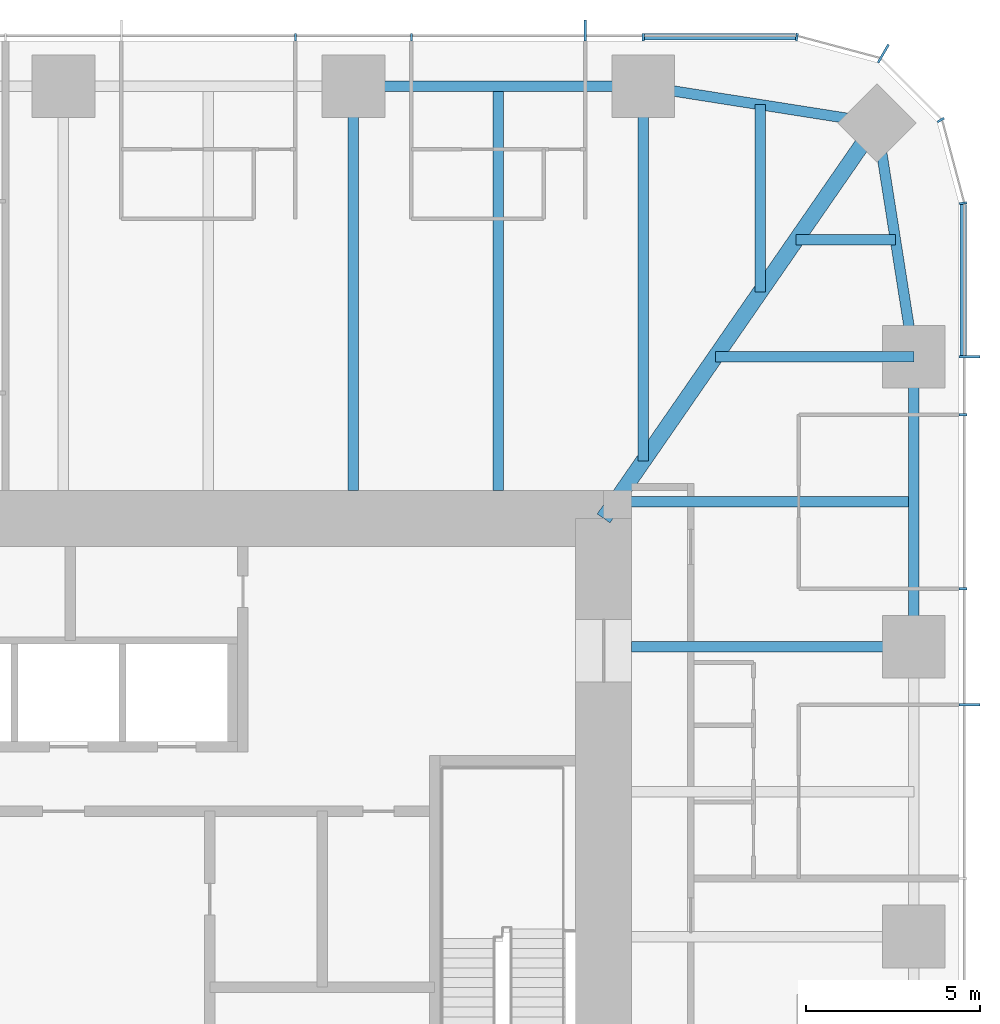
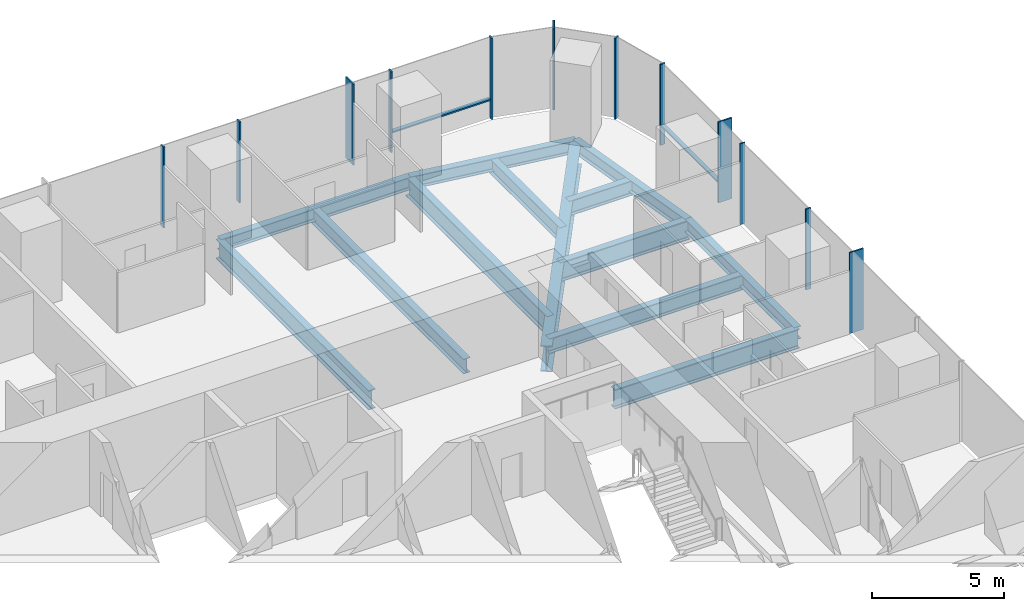
# One storey, part 6 of 13: 14 members, 13 beams, 3 elements without a shape of their own.
"""IFC4 building model written with IfcOpenShell, lengths in metres."""

from ifc_helpers import new_model, si_unit, direction, frame, origin, origin_2d, place, context, subcontext, project, spatial, rectangle, i_section, extrude, material, material_profile, profile_set, type_object, element, aggregate, save


model = new_model("IFC4")

# Units and contexts
model_context = context("Model", 3, precision=1e-05, world=origin(), true_north=direction((0.0, 1.0)))
body_context = subcontext(model_context, "Body", "Model", "MODEL_VIEW")
ifc_project = project(units=[si_unit("LENGTHUNIT", "METRE"), si_unit("AREAUNIT", "SQUARE_METRE"), si_unit("VOLUMEUNIT", "CUBIC_METRE"), si_unit("PLANEANGLEUNIT", "RADIAN"), si_unit("MASSUNIT", "GRAM", prefix="KILO")], contexts=[model_context])

# Site, building, storey
site_placement = place(None, origin())
site = spatial("IfcSite", under=ifc_project, at=site_placement, CompositionType="ELEMENT")
building_placement = place(site_placement, origin())
building = spatial("IfcBuilding", under=site, at=building_placement, Name="Khuree Lantern Residences", CompositionType="ELEMENT")
storey_placement = place(building_placement, frame((0.0, 0.0, 259.5)))
storey = spatial("IfcBuildingStorey", under=building, at=storey_placement, Name="L65", CompositionType="ELEMENT", Elevation=259.5)

# Beams
ifc_material_1 = material(Name="Steel S355", Category="steel")
ifc_material_profile_1 = material_profile(ifc_material_1, i_section(OverallWidth=0.300048828125, OverallDepth=0.68994140625, WebThickness=0.014404296875, FlangeThickness=0.027099609375, FilletRadius=0.027099609375, at=origin_2d()), Name="HE 700 A")
ifc_profile_set_1 = profile_set([ifc_material_profile_1], Name="Steel S355")
beam_type_1 = type_object("IfcBeamType", Name="B-34 SECONDARY BEAM HE 700 A", PredefinedType="BEAM", material=ifc_profile_set_1)
beam_1_placement = place(storey_placement, frame((12.47998046875, 24.39990234375, -0.594970703125), z_axis=(0.0, -1.0, 0.0), x_axis=(1.0, 0.0, 0.0)))
element("IfcBeam", 1, at=beam_1_placement, inside=storey, type_object=beam_type_1, Name="Secondary beam N4", PredefinedType="BEAM", context=body_context, shape_type="SweptSolid", body=[
    extrude(i_section(OverallWidth=0.300048828125, OverallDepth=0.68994140625, WebThickness=0.014404296875, FlangeThickness=0.027099609375, FilletRadius=0.027099609375, at=origin_2d()), origin(), (0.0, 0.0, 1.0), 11.599853515625),
])
beam_2_placement = place(storey_placement, frame((19.992919921875, 23.872802734375, -0.594970703125), z_axis=(0.0, -1.0, 0.0), x_axis=(1.0, 0.0, 0.0)))
element("IfcBeam", 2, at=beam_2_placement, inside=storey, type_object=beam_type_1, Name="Secondary beam N5", PredefinedType="BEAM", context=body_context, shape_type="SweptSolid", body=[
    extrude(i_section(OverallWidth=0.300048828125, OverallDepth=0.68994140625, WebThickness=0.014404296875, FlangeThickness=0.027099609375, FilletRadius=0.027099609375, at=origin_2d()), origin(), (0.0, 0.0, 1.0), 5.375732421875),
])
beam_3_placement = place(storey_placement, frame((23.872802734375, 19.992919921875, -0.594970703125), z_axis=(-1.0, 0.0, 0.0), x_axis=(0.0, -1.0, 0.0)))
element("IfcBeam", 3, at=beam_3_placement, inside=storey, type_object=beam_type_1, Name="Secondary beam E1", PredefinedType="BEAM", context=body_context, shape_type="SweptSolid", body=[
    extrude(i_section(OverallWidth=0.300048828125, OverallDepth=0.68994140625, WebThickness=0.014404296875, FlangeThickness=0.027099609375, FilletRadius=0.027099609375, at=origin_2d()), origin(), (0.0, 0.0, 1.0), 2.845703125),
])
beam_4_placement = place(storey_placement, frame((24.39990234375, 12.47998046875, -0.594970703125), z_axis=(-1.0, 0.0, 0.0), x_axis=(0.0, -1.0, 0.0)))
element("IfcBeam", 4, at=beam_4_placement, inside=storey, type_object=beam_type_1, Name="Secondary beam E2", PredefinedType="BEAM", context=body_context, shape_type="SweptSolid", body=[
    extrude(i_section(OverallWidth=0.300048828125, OverallDepth=0.68994140625, WebThickness=0.014404296875, FlangeThickness=0.027099609375, FilletRadius=0.027099609375, at=origin_2d()), origin(), (0.0, 0.0, 1.0), 8.56787109375),
])
ifc_material_profile_2 = material_profile(ifc_material_1, i_section(OverallWidth=0.300048828125, OverallDepth=0.590087890625, WebThickness=0.012939453125, FlangeThickness=0.02490234375, FilletRadius=0.027099609375, at=origin_2d()), Name="HE 600 A")
ifc_profile_set_2 = profile_set([ifc_material_profile_2], Name="Steel S355")
beam_type_2 = type_object("IfcBeamType", Name="E-34 SPANDREL BEAM HE 600 A", PredefinedType="SPANDREL", material=ifc_profile_set_2)
beam_5_placement = place(storey_placement, frame((8.320068359375, 24.39990234375, -0.544921875), z_axis=(1.0, 0.0, 0.0), x_axis=(0.0, 1.0, 0.0)))
element("IfcBeam", 5, at=beam_5_placement, inside=storey, type_object=beam_type_2, Name="Spandrel beam N4", PredefinedType="SPANDREL", context=body_context, shape_type="SweptSolid", body=[
    extrude(i_section(OverallWidth=0.300048828125, OverallDepth=0.590087890625, WebThickness=0.012939453125, FlangeThickness=0.02490234375, FilletRadius=0.027099609375, at=origin_2d()), origin(), (0.0, 0.0, 1.0), 8.31982421875),
])
for number, where, z_axis, x_axis, name in (
    (6, (16.639892578125, 24.39990234375, -0.544921875), (0.98786743189, -0.155299507442, 0.0), (0.155299507442, 0.98786743189, 0.0), "Spandrel beam N5"),
    (7, (23.345703125, 23.345703125, -0.544921875), (0.155299507442, -0.98786743189, 0.0), (0.98786743189, 0.155299507442, 0.0), "Spandrel beam E1"),
):
    element("IfcBeam", number, at=place(storey_placement, frame(where, z_axis=z_axis, x_axis=x_axis)), inside=storey, type_object=beam_type_2, Name=name, PredefinedType="SPANDREL", context=body_context, shape_type="SweptSolid", body=[
        extrude(i_section(OverallWidth=0.300048828125, OverallDepth=0.590087890625, WebThickness=0.012939453125, FlangeThickness=0.02490234375, FilletRadius=0.027099609375, at=origin_2d()), origin(), (0.0, 0.0, 1.0), 6.7880859375),
    ])
beam_6_placement = place(storey_placement, frame((24.39990234375, 16.639892578125, -0.544921875), z_axis=(0.0, -1.0, 0.0), x_axis=(1.0, 0.0, 0.0)))
element("IfcBeam", 8, at=beam_6_placement, inside=storey, type_object=beam_type_2, Name="Spandrel beam E2", PredefinedType="SPANDREL", context=body_context, shape_type="SweptSolid", body=[
    extrude(i_section(OverallWidth=0.300048828125, OverallDepth=0.590087890625, WebThickness=0.012939453125, FlangeThickness=0.02490234375, FilletRadius=0.027099609375, at=origin_2d()), origin(), (0.0, 0.0, 1.0), 8.31982421875),
])

# Curtain wall, members
ifc_material_2 = material(Name="Bronze anodised aluminium", Category="aluminium")
curtain_wall_type_1 = type_object("IfcCurtainWallType", Name="CW-T1 TOWER FACE CURTAIN WALL", PredefinedType="USERDEFINED", material=ifc_material_2)
curtain_wall_1_placement = place(storey_placement, origin())
curtain_wall_1 = element("IfcCurtainWall", 9, at=curtain_wall_1_placement, inside=storey, type_object=curtain_wall_type_1, Name="L65 EAST FACE CURTAIN WALL", ObjectType="Stick-built curtain wall", PredefinedType="USERDEFINED")
ifc_material_profile_3 = material_profile(ifc_material_2, rectangle(XDim=0.06494140625, YDim=0.60009765625, at=origin_2d()), Name="F1 65X600")
ifc_profile_set_3 = profile_set([ifc_material_profile_3], Name="Bronze anodised aluminium")
member_type_1 = type_object("IfcMemberType", Name="F1 BRONZE FIN MULLION TOWER 65X600", PredefinedType="MULLION", material=ifc_profile_set_3)
member_1_placement = place(storey_placement, frame((26.0, 6.656005859375, 0.0), z_axis=(0.0, 0.0, 1.0), x_axis=(0.0, 1.0, 0.0)))
member_1 = element("IfcMember", 10, at=member_1_placement, type_object=member_type_1, Name="L65 EAST FACE FIN MULLION 11", PredefinedType="MULLION", context=body_context, shape_type="SweptSolid", body=[
    extrude(rectangle(XDim=0.06494140625, YDim=0.60009765625, at=origin_2d()), origin(), (0.0, 0.0, 1.0), 3.75),
])
member_2_placement = place(storey_placement, frame((26.0, 16.639892578125, 0.0), z_axis=(0.0, 0.0, 1.0), x_axis=(0.0, 1.0, 0.0)))
member_2 = element("IfcMember", 11, at=member_2_placement, type_object=member_type_1, Name="L65 EAST FACE FIN MULLION 14", PredefinedType="MULLION", context=body_context, shape_type="SweptSolid", body=[
    extrude(rectangle(XDim=0.06494140625, YDim=0.60009765625, at=origin_2d()), origin(), (0.0, 0.0, 1.0), 3.75),
])

# Curtain wall, member
curtain_wall_type_2 = type_object("IfcCurtainWallType", Name="CW-T2 TOWER CORNER CURTAIN WALL", PredefinedType="USERDEFINED", material=ifc_material_2)
curtain_wall_2_placement = place(storey_placement, origin())
curtain_wall_2 = element("IfcCurtainWall", 12, at=curtain_wall_2_placement, inside=storey, type_object=curtain_wall_type_2, Name="L65 NORTH-EAST CORNER CURTAIN WALL", ObjectType="Faceted corner curtain wall", PredefinedType="USERDEFINED")
member_3_placement = place(storey_placement, frame((23.52490234375, 25.3369140625, 0.0), z_axis=(0.0, 0.0, 1.0), x_axis=(-0.866025409797, 0.499999989586, 0.0)))
member_3 = element("IfcMember", 13, at=member_3_placement, type_object=member_type_1, Name="L65 NORTH-EAST CORNER FIN MULLION 17", PredefinedType="MULLION", context=body_context, shape_type="SweptSolid", body=[
    extrude(rectangle(XDim=0.06494140625, YDim=0.60009765625, at=origin_2d()), origin(), (0.0, 0.0, 1.0), 3.75),
])

curtain_wall_3_placement = place(storey_placement, origin())
curtain_wall_3 = element("IfcCurtainWall", 14, at=curtain_wall_3_placement, inside=storey, type_object=curtain_wall_type_1, Name="L65 NORTH FACE CURTAIN WALL", ObjectType="Stick-built curtain wall", PredefinedType="USERDEFINED")
member_4_placement = place(storey_placement, frame((14.97607421875, 26.0, 0.0), z_axis=(0.0, 0.0, 1.0), x_axis=(-1.0, 0.0, 0.0)))
member_4 = element("IfcMember", 15, at=member_4_placement, type_object=member_type_1, Name="L65 NORTH FACE FIN MULLION 20", PredefinedType="MULLION", context=body_context, shape_type="SweptSolid", body=[
    extrude(rectangle(XDim=0.06494140625, YDim=0.60009765625, at=origin_2d()), origin(), (0.0, 0.0, 1.0), 3.75),
])

# Beams
ifc_material_profile_4 = material_profile(ifc_material_1, i_section(OverallWidth=0.300048828125, OverallDepth=0.89990234375, WebThickness=0.0185546875, FlangeThickness=0.034912109375, FilletRadius=0.030029296875, at=origin_2d()), Name="HE 900 B")
ifc_profile_set_4 = profile_set([ifc_material_profile_4], Name="Steel S355")
beam_type_3 = type_object("IfcBeamType", Name="G-34 GIRDER HE 900 B", PredefinedType="BEAM", material=ifc_profile_set_4)
beam_7_placement = place(storey_placement, frame((8.320068359375, 24.39990234375, -0.699951171875), z_axis=(0.0, -1.0, 0.0), x_axis=(1.0, 0.0, 0.0)))
element("IfcBeam", 16, at=beam_7_placement, inside=storey, type_object=beam_type_3, Name="Girder N4", PredefinedType="BEAM", context=body_context, shape_type="SweptSolid", body=[
    extrude(i_section(OverallWidth=0.300048828125, OverallDepth=0.89990234375, WebThickness=0.0185546875, FlangeThickness=0.034912109375, FilletRadius=0.030029296875, at=origin_2d()), origin(), (0.0, 0.0, 1.0), 11.599853515625),
])
beam_8_placement = place(storey_placement, frame((16.639892578125, 24.39990234375, -0.699951171875), z_axis=(0.0, -1.0, 0.0), x_axis=(1.0, 0.0, 0.0)))
element("IfcBeam", 17, at=beam_8_placement, inside=storey, type_object=beam_type_3, Name="Girder N5", PredefinedType="BEAM", context=body_context, shape_type="SweptSolid", body=[
    extrude(i_section(OverallWidth=0.300048828125, OverallDepth=0.89990234375, WebThickness=0.0185546875, FlangeThickness=0.034912109375, FilletRadius=0.030029296875, at=origin_2d()), origin(), (0.0, 0.0, 1.0), 10.751220703125),
])
beam_9_placement = place(storey_placement, frame((24.39990234375, 16.639892578125, -0.699951171875), z_axis=(-1.0, 0.0, 0.0), x_axis=(0.0, -1.0, 0.0)))
element("IfcBeam", 18, at=beam_9_placement, inside=storey, type_object=beam_type_3, Name="Girder E1", PredefinedType="BEAM", context=body_context, shape_type="SweptSolid", body=[
    extrude(i_section(OverallWidth=0.300048828125, OverallDepth=0.89990234375, WebThickness=0.0185546875, FlangeThickness=0.034912109375, FilletRadius=0.030029296875, at=origin_2d()), origin(), (0.0, 0.0, 1.0), 5.69140625),
])
beam_10_placement = place(storey_placement, frame((24.39990234375, 8.320068359375, -0.699951171875), z_axis=(-1.0, 0.0, 0.0), x_axis=(0.0, -1.0, 0.0)))
element("IfcBeam", 19, at=beam_10_placement, inside=storey, type_object=beam_type_3, Name="Girder E2", PredefinedType="BEAM", context=body_context, shape_type="SweptSolid", body=[
    extrude(i_section(OverallWidth=0.300048828125, OverallDepth=0.89990234375, WebThickness=0.0185546875, FlangeThickness=0.034912109375, FilletRadius=0.030029296875, at=origin_2d()), origin(), (0.0, 0.0, 1.0), 8.099853515625),
])
ifc_material_profile_5 = material_profile(ifc_material_1, i_section(OverallWidth=0.449951171875, OverallDepth=1.199951171875, WebThickness=0.02490234375, FlangeThickness=0.044921875, at=origin_2d()), Name="WELDED I 1200X450X25X45")
ifc_profile_set_5 = profile_set([ifc_material_profile_5], Name="Steel S355")
beam_type_4 = type_object("IfcBeamType", Name="GD-34 CORNER GIRDER WELDED I 1200X450X25X45", PredefinedType="BEAM", material=ifc_profile_set_5)
beam_11_placement = place(storey_placement, frame((23.345703125, 23.345703125, -0.85009765625), z_axis=(-0.56876813501, -0.822497907959, 0.0), x_axis=(0.822497907959, -0.56876813501, 0.0)))
element("IfcBeam", 20, at=beam_11_placement, inside=storey, type_object=beam_type_4, Name="Corner girder NE", PredefinedType="BEAM", context=body_context, shape_type="SweptSolid", body=[
    extrude(i_section(OverallWidth=0.449951171875, OverallDepth=1.199951171875, WebThickness=0.02490234375, FlangeThickness=0.044921875, at=origin_2d()), origin(), (0.0, 0.0, 1.0), 13.794189453125),
])

# Member
ifc_material_profile_6 = material_profile(ifc_material_2, rectangle(XDim=0.06494140625, YDim=0.219970703125, at=origin_2d()), Name="M1 65X220")
ifc_profile_set_6 = profile_set([ifc_material_profile_6], Name="Bronze anodised aluminium")
member_type_2 = type_object("IfcMemberType", Name="M1 BRONZE MULLION TOWER 65X220", PredefinedType="MULLION", material=ifc_profile_set_6)
member_5_placement = place(storey_placement, frame((25.81005859375, 9.98388671875, 0.0), z_axis=(0.0, 0.0, 1.0), x_axis=(0.0, 1.0, 0.0)))
member_5 = element("IfcMember", 21, at=member_5_placement, type_object=member_type_2, Name="L65 EAST FACE MULLION 12", PredefinedType="MULLION", context=body_context, shape_type="SweptSolid", body=[
    extrude(rectangle(XDim=0.06494140625, YDim=0.219970703125, at=origin_2d()), origin(), (0.0, 0.0, 1.0), 3.75),
])

member_6_placement = place(storey_placement, frame((25.81005859375, 14.97607421875, 0.0), z_axis=(0.0, 0.0, 1.0), x_axis=(0.0, 1.0, 0.0)))
member_6 = element("IfcMember", 22, at=member_6_placement, type_object=member_type_2, Name="L65 EAST FACE MULLION 13", PredefinedType="MULLION", context=body_context, shape_type="SweptSolid", body=[
    extrude(rectangle(XDim=0.06494140625, YDim=0.219970703125, at=origin_2d()), origin(), (0.0, 0.0, 1.0), 3.75),
])

member_7_placement = place(storey_placement, frame((25.811767578125, 21.044921875, 0.0), z_axis=(0.0, 0.0, 1.0), x_axis=(-0.130526180298, 0.991444862943, 0.0)))
member_7 = element("IfcMember", 23, at=member_7_placement, type_object=member_type_2, Name="L65 NORTH-EAST CORNER MULLION 15", PredefinedType="MULLION", context=body_context, shape_type="SweptSolid", body=[
    extrude(rectangle(XDim=0.06494140625, YDim=0.219970703125, at=origin_2d()), origin(), (0.0, 0.0, 1.0), 3.75),
])

member_8_placement = place(storey_placement, frame((25.17236328125, 23.429931640625, 0.0), z_axis=(0.0, 0.0, 1.0), x_axis=(-0.499999989586, 0.866025409797, 0.0)))
member_8 = element("IfcMember", 24, at=member_8_placement, type_object=member_type_2, Name="L65 NORTH-EAST CORNER MULLION 16", PredefinedType="MULLION", context=body_context, shape_type="SweptSolid", body=[
    extrude(rectangle(XDim=0.06494140625, YDim=0.219970703125, at=origin_2d()), origin(), (0.0, 0.0, 1.0), 3.75),
])

aggregate(curtain_wall_2, [member_7, member_8, member_3])

member_9_placement = place(storey_placement, frame((21.044921875, 25.811767578125, 0.0), z_axis=(0.0, 0.0, 1.0), x_axis=(-0.991444862943, 0.130526180298, 0.0)))
member_9 = element("IfcMember", 25, at=member_9_placement, type_object=member_type_2, Name="L65 NORTH FACE MULLION 18", PredefinedType="MULLION", context=body_context, shape_type="SweptSolid", body=[
    extrude(rectangle(XDim=0.06494140625, YDim=0.219970703125, at=origin_2d()), origin(), (0.0, 0.0, 1.0), 3.75),
])

member_10_placement = place(storey_placement, frame((16.639892578125, 25.81005859375, 0.0), z_axis=(0.0, 0.0, 1.0), x_axis=(-1.0, 0.0, 0.0)))
member_10 = element("IfcMember", 26, at=member_10_placement, type_object=member_type_2, Name="L65 NORTH FACE MULLION 19", PredefinedType="MULLION", context=body_context, shape_type="SweptSolid", body=[
    extrude(rectangle(XDim=0.06494140625, YDim=0.219970703125, at=origin_2d()), origin(), (0.0, 0.0, 1.0), 3.75),
])

member_11_placement = place(storey_placement, frame((9.98388671875, 25.81005859375, 0.0), z_axis=(0.0, 0.0, 1.0), x_axis=(-1.0, 0.0, 0.0)))
member_11 = element("IfcMember", 27, at=member_11_placement, type_object=member_type_2, Name="L65 NORTH FACE MULLION 21", PredefinedType="MULLION", context=body_context, shape_type="SweptSolid", body=[
    extrude(rectangle(XDim=0.06494140625, YDim=0.219970703125, at=origin_2d()), origin(), (0.0, 0.0, 1.0), 3.75),
])

member_12_placement = place(storey_placement, frame((6.656005859375, 25.81005859375, 0.0), z_axis=(0.0, 0.0, 1.0), x_axis=(-1.0, 0.0, 0.0)))
member_12 = element("IfcMember", 28, at=member_12_placement, type_object=member_type_2, Name="L65 NORTH FACE MULLION 22", PredefinedType="MULLION", context=body_context, shape_type="SweptSolid", body=[
    extrude(rectangle(XDim=0.06494140625, YDim=0.219970703125, at=origin_2d()), origin(), (0.0, 0.0, 1.0), 3.75),
])

ifc_material_profile_7 = material_profile(ifc_material_2, rectangle(XDim=0.179931640625, YDim=0.06494140625, at=origin_2d()), Name="T1 180X65")
ifc_profile_set_7 = profile_set([ifc_material_profile_7], Name="Bronze anodised aluminium")
member_type_3 = type_object("IfcMemberType", Name="TRANSOM T1 TOWER 180X65", PredefinedType="USERDEFINED", material=ifc_profile_set_7)
member_13_placement = place(storey_placement, frame((25.820068359375, 16.672607421875, 0.89990234375), z_axis=(0.0, 1.0, 0.0), x_axis=(-1.0, 0.0, 0.0)))
member_13 = element("IfcMember", 29, at=member_13_placement, type_object=member_type_3, Name="L65 EAST FACE TRANSOM 14.1", ObjectType="Transom", PredefinedType="USERDEFINED", context=body_context, shape_type="SweptSolid", body=[
    extrude(rectangle(XDim=0.179931640625, YDim=0.06494140625, at=origin_2d()), origin(), (0.0, 0.0, 1.0), 4.328857421875),
])

aggregate(curtain_wall_1, [member_1, member_5, member_6, member_2, member_13])

member_14_placement = place(storey_placement, frame((21.00146484375, 25.820068359375, 0.89990234375), z_axis=(-1.0, 0.0, 0.0), x_axis=(0.0, -1.0, 0.0)))
member_14 = element("IfcMember", 30, at=member_14_placement, type_object=member_type_3, Name="L65 NORTH FACE TRANSOM 18.1", ObjectType="Transom", PredefinedType="USERDEFINED", context=body_context, shape_type="SweptSolid", body=[
    extrude(rectangle(XDim=0.179931640625, YDim=0.06494140625, at=origin_2d()), origin(), (0.0, 0.0, 1.0), 4.328857421875),
])

aggregate(curtain_wall_3, [member_9, member_10, member_4, member_11, member_12, member_14])

save(model, "model.ifc")
